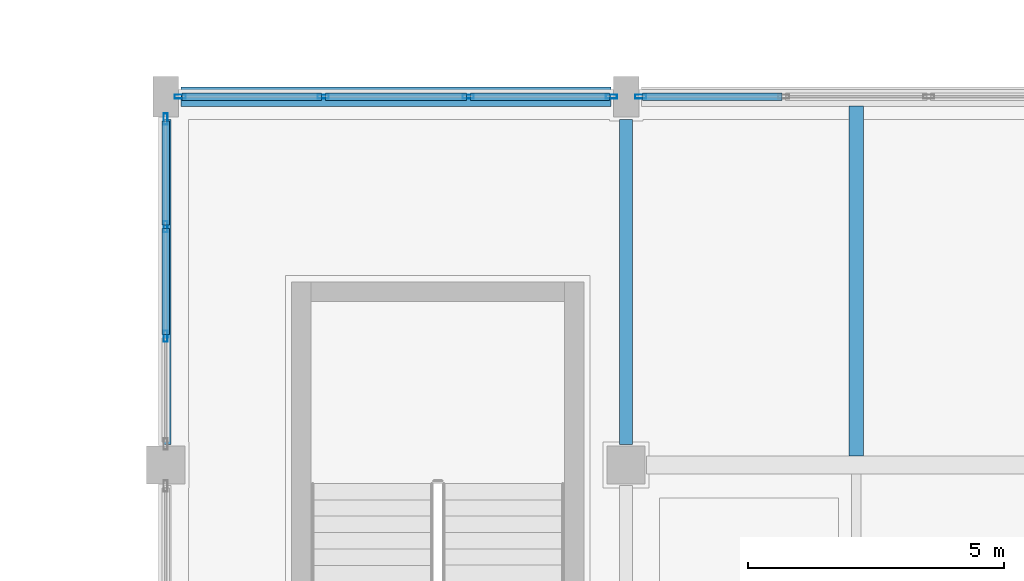
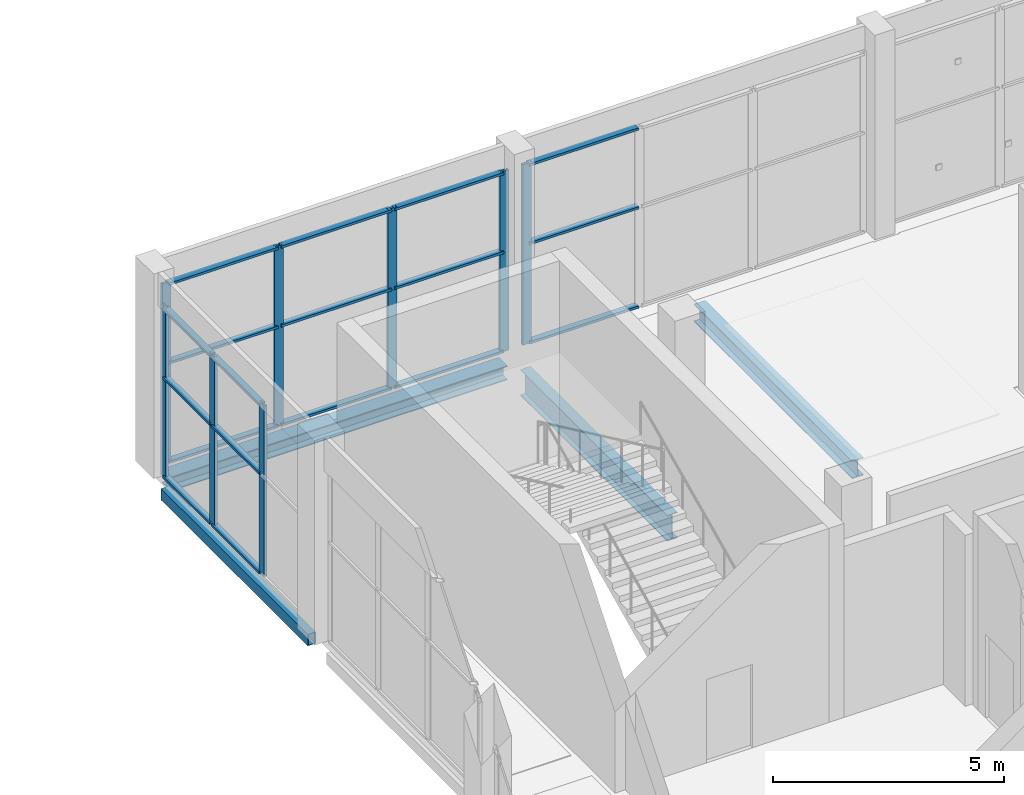
# One storey, part 94 of 189: 26 members, 4 beams, 3 elements without a shape of their own.
"""IFC4 building model written with IfcOpenShell, lengths in metres."""

from ifc_helpers import new_model, si_unit, direction, frame, origin, origin_2d, place, context, subcontext, project, spatial, hollow_rectangle, i_section, extrude, material, layer, layer_set, material_profile, profile_set, type_object, element, aggregate, save


model = new_model("IFC4")

# Units and contexts
model_context = context("Model", 3, precision=1e-05, world=origin(), true_north=direction((0.0, 1.0)))
body_context = subcontext(model_context, "Body", "Model", "MODEL_VIEW")
ifc_project = project(units=[si_unit("LENGTHUNIT", "METRE"), si_unit("AREAUNIT", "SQUARE_METRE"), si_unit("VOLUMEUNIT", "CUBIC_METRE"), si_unit("PLANEANGLEUNIT", "RADIAN"), si_unit("MASSUNIT", "GRAM", prefix="KILO")], contexts=[model_context])

# Site, building, storey
site_placement = place(None, origin())
site = spatial("IfcSite", under=ifc_project, at=site_placement, CompositionType="ELEMENT")
building_placement = place(site_placement, origin())
building = spatial("IfcBuilding", under=site, at=building_placement, Name="Celestram Park Convention Centre", CompositionType="ELEMENT")
storey_placement = place(building_placement, frame((0.0, 0.0, 5.39990234375)))
storey = spatial("IfcBuildingStorey", under=building, at=storey_placement, Name="L01", CompositionType="ELEMENT", Elevation=5.39990234375)

# Curtain wall, members
ifc_material_1 = material(Name="Anodised Aluminium Alloy 6063-T6", Category="aluminium")
ifc_layer_1 = layer(ifc_material_1, 0.179931640625)
ifc_layer_set_1 = layer_set([ifc_layer_1], Name="Anodised Aluminium Alloy 6063-T6")
curtain_wall_type_1 = type_object("IfcCurtainWallType", Name="ARC-CW-643X451", PredefinedType="NOTDEFINED", material=ifc_layer_set_1)
curtain_wall_1_placement = place(storey_placement, origin())
curtain_wall_1 = element("IfcCurtainWall", 1, at=curtain_wall_1_placement, inside=storey, type_object=curtain_wall_type_1, Name="Unitised curtain wall CU-L01-054", PredefinedType="NOTDEFINED")
ifc_material_profile_1 = material_profile(ifc_material_1, hollow_rectangle(XDim=0.074951171875, YDim=0.219970703125, WallThickness=0.00390625, at=origin_2d()), Name="ALU75X220X4")
ifc_profile_set_1 = profile_set([ifc_material_profile_1], Name="Anodised Aluminium Alloy 6063-T6")
member_type_1 = type_object("IfcMemberType", Name="ARC-CWM-180", PredefinedType="MULLION", material=ifc_profile_set_1)
member_1_placement = place(storey_placement, frame((36.0, 160.916015625, 0.0), z_axis=(0.0, 0.0, 1.0), x_axis=(-1.0, 0.0, 0.0)))
member_1 = element("IfcMember", 2, at=member_1_placement, type_object=member_type_1, Name="CW-64X45 mullion 2", PredefinedType="MULLION", context=body_context, shape_type="SweptSolid", body=[
    extrude(hollow_rectangle(XDim=0.074951171875, YDim=0.219970703125, WallThickness=0.00390625, at=origin_2d()), origin(), (0.0, 0.0, 1.0), 4.508056640625),
])
member_2_placement = place(storey_placement, frame((36.0, 163.05908203125, 0.0), z_axis=(0.0, 0.0, 1.0), x_axis=(-1.0, 0.0, 0.0)))
member_2 = element("IfcMember", 3, at=member_2_placement, type_object=member_type_1, Name="CW-64X45 mullion 3", PredefinedType="MULLION", context=body_context, shape_type="SweptSolid", body=[
    extrude(hollow_rectangle(XDim=0.074951171875, YDim=0.219970703125, WallThickness=0.00390625, at=origin_2d()), origin(), (0.0, 0.0, 1.0), 4.508056640625),
])
member_3_placement = place(storey_placement, frame((36.0, 165.16455078125, 0.0), z_axis=(0.0, 0.0, 1.0), x_axis=(-1.0, 0.0, 0.0)))
member_3 = element("IfcMember", 4, at=member_3_placement, type_object=member_type_1, Name="CW-64X45 mullion 4", PredefinedType="MULLION", context=body_context, shape_type="SweptSolid", body=[
    extrude(hollow_rectangle(XDim=0.074951171875, YDim=0.219970703125, WallThickness=0.00390625, at=origin_2d()), origin(), (0.0, 0.0, 1.0), 4.508056640625),
])

ifc_layer_2 = layer(ifc_material_1, 0.179931640625)
ifc_layer_set_2 = layer_set([ifc_layer_2], Name="Anodised Aluminium Alloy 6063-T6")
curtain_wall_type_2 = type_object("IfcCurtainWallType", Name="ARC-CW-850X476", PredefinedType="NOTDEFINED", material=ifc_layer_set_2)
curtain_wall_2_placement = place(storey_placement, origin())
curtain_wall_2 = element("IfcCurtainWall", 5, at=curtain_wall_2_placement, inside=storey, type_object=curtain_wall_type_2, Name="Unitised curtain wall CU-L01-055", PredefinedType="NOTDEFINED")
member_4_placement = place(storey_placement, frame((36.285400390625, 165.60009765625, 0.0), z_axis=(0.0, 0.0, 1.0), x_axis=(0.0, 1.0, 0.0)))
member_4 = element("IfcMember", 6, at=member_4_placement, type_object=member_type_1, Name="CW-85X47 mullion 1", PredefinedType="MULLION", context=body_context, shape_type="SweptSolid", body=[
    extrude(hollow_rectangle(XDim=0.074951171875, YDim=0.219970703125, WallThickness=0.00390625, at=origin_2d()), origin(), (0.0, 0.0, 1.0), 4.76416015625),
])
member_5_placement = place(storey_placement, frame((39.082763671875, 165.60009765625, 0.0), z_axis=(0.0, 0.0, 1.0), x_axis=(0.0, 1.0, 0.0)))
member_5 = element("IfcMember", 7, at=member_5_placement, type_object=member_type_1, Name="CW-85X47 mullion 2", PredefinedType="MULLION", context=body_context, shape_type="SweptSolid", body=[
    extrude(hollow_rectangle(XDim=0.074951171875, YDim=0.219970703125, WallThickness=0.00390625, at=origin_2d()), origin(), (0.0, 0.0, 1.0), 4.76416015625),
])
member_6_placement = place(storey_placement, frame((41.917236328125, 165.60009765625, 0.0), z_axis=(0.0, 0.0, 1.0), x_axis=(0.0, 1.0, 0.0)))
member_6 = element("IfcMember", 8, at=member_6_placement, type_object=member_type_1, Name="CW-85X47 mullion 3", PredefinedType="MULLION", context=body_context, shape_type="SweptSolid", body=[
    extrude(hollow_rectangle(XDim=0.074951171875, YDim=0.219970703125, WallThickness=0.00390625, at=origin_2d()), origin(), (0.0, 0.0, 1.0), 4.76416015625),
])
member_7_placement = place(storey_placement, frame((44.714599609375, 165.60009765625, 0.0), z_axis=(0.0, 0.0, 1.0), x_axis=(0.0, 1.0, 0.0)))
member_7 = element("IfcMember", 9, at=member_7_placement, type_object=member_type_1, Name="CW-85X47 mullion 4", PredefinedType="MULLION", context=body_context, shape_type="SweptSolid", body=[
    extrude(hollow_rectangle(XDim=0.074951171875, YDim=0.219970703125, WallThickness=0.00390625, at=origin_2d()), origin(), (0.0, 0.0, 1.0), 4.76416015625),
])

# Curtain wall, member
curtain_wall_3_placement = place(storey_placement, origin())
curtain_wall_3 = element("IfcCurtainWall", 10, at=curtain_wall_3_placement, inside=storey, type_object=curtain_wall_type_2, Name="Unitised curtain wall CU-L01-056", PredefinedType="NOTDEFINED")
member_8_placement = place(storey_placement, frame((45.285400390625, 165.60009765625, 0.0), z_axis=(0.0, 0.0, 1.0), x_axis=(0.0, 1.0, 0.0)))
member_8 = element("IfcMember", 11, at=member_8_placement, type_object=member_type_1, Name="CW-85X47 mullion 1", PredefinedType="MULLION", context=body_context, shape_type="SweptSolid", body=[
    extrude(hollow_rectangle(XDim=0.074951171875, YDim=0.219970703125, WallThickness=0.00390625, at=origin_2d()), origin(), (0.0, 0.0, 1.0), 4.76416015625),
])

# Member
ifc_material_profile_2 = material_profile(ifc_material_1, hollow_rectangle(XDim=0.14990234375, YDim=0.06494140625, WallThickness=0.0029296875, at=origin_2d()), Name="ALU150X65X3")
ifc_profile_set_2 = profile_set([ifc_material_profile_2], Name="Anodised Aluminium Alloy 6063-T6")
member_type_2 = type_object("IfcMemberType", Name="ARC-CWT-150", PredefinedType="USERDEFINED", material=ifc_profile_set_2)
member_9_placement = place(storey_placement, frame((36.0, 160.95361328125, 0.03271484375), z_axis=(0.0, 1.0, 0.0), x_axis=(-1.0, 0.0, 0.0)))
member_9 = element("IfcMember", 12, at=member_9_placement, type_object=member_type_2, Name="CW-64X45 transom 2.1", ObjectType="TRANSOM", PredefinedType="USERDEFINED", context=body_context, shape_type="SweptSolid", body=[
    extrude(hollow_rectangle(XDim=0.14990234375, YDim=0.06494140625, WallThickness=0.0029296875, at=origin_2d()), origin(), (0.0, 0.0, 1.0), 2.06787109375),
])

member_10_placement = place(storey_placement, frame((36.0, 160.95361328125, 2.650146484375), z_axis=(0.0, 1.0, 0.0), x_axis=(-1.0, 0.0, 0.0)))
member_10 = element("IfcMember", 13, at=member_10_placement, type_object=member_type_2, Name="CW-64X45 transom 2.2", ObjectType="TRANSOM", PredefinedType="USERDEFINED", context=body_context, shape_type="SweptSolid", body=[
    extrude(hollow_rectangle(XDim=0.14990234375, YDim=0.06494140625, WallThickness=0.0029296875, at=origin_2d()), origin(), (0.0, 0.0, 1.0), 2.06787109375),
])

member_11_placement = place(storey_placement, frame((36.0, 160.95361328125, 4.4755859375), z_axis=(0.0, 1.0, 0.0), x_axis=(-1.0, 0.0, 0.0)))
member_11 = element("IfcMember", 14, at=member_11_placement, type_object=member_type_2, Name="CW-64X45 transom 2.3", ObjectType="TRANSOM", PredefinedType="USERDEFINED", context=body_context, shape_type="SweptSolid", body=[
    extrude(hollow_rectangle(XDim=0.14990234375, YDim=0.06494140625, WallThickness=0.0029296875, at=origin_2d()), origin(), (0.0, 0.0, 1.0), 2.06787109375),
])

member_12_placement = place(storey_placement, frame((36.0, 163.096435546875, 0.03271484375), z_axis=(0.0, 1.0, 0.0), x_axis=(-1.0, 0.0, 0.0)))
member_12 = element("IfcMember", 15, at=member_12_placement, type_object=member_type_2, Name="CW-64X45 transom 3.1", ObjectType="TRANSOM", PredefinedType="USERDEFINED", context=body_context, shape_type="SweptSolid", body=[
    extrude(hollow_rectangle(XDim=0.14990234375, YDim=0.06494140625, WallThickness=0.0029296875, at=origin_2d()), origin(), (0.0, 0.0, 1.0), 2.030517578125),
])

member_13_placement = place(storey_placement, frame((36.0, 163.096435546875, 2.650146484375), z_axis=(0.0, 1.0, 0.0), x_axis=(-1.0, 0.0, 0.0)))
member_13 = element("IfcMember", 16, at=member_13_placement, type_object=member_type_2, Name="CW-64X45 transom 3.2", ObjectType="TRANSOM", PredefinedType="USERDEFINED", context=body_context, shape_type="SweptSolid", body=[
    extrude(hollow_rectangle(XDim=0.14990234375, YDim=0.06494140625, WallThickness=0.0029296875, at=origin_2d()), origin(), (0.0, 0.0, 1.0), 2.030517578125),
])

member_14_placement = place(storey_placement, frame((36.0, 163.096435546875, 4.4755859375), z_axis=(0.0, 1.0, 0.0), x_axis=(-1.0, 0.0, 0.0)))
member_14 = element("IfcMember", 17, at=member_14_placement, type_object=member_type_2, Name="CW-64X45 transom 3.3", ObjectType="TRANSOM", PredefinedType="USERDEFINED", context=body_context, shape_type="SweptSolid", body=[
    extrude(hollow_rectangle(XDim=0.14990234375, YDim=0.06494140625, WallThickness=0.0029296875, at=origin_2d()), origin(), (0.0, 0.0, 1.0), 2.030517578125),
])

aggregate(curtain_wall_1, [member_1, member_2, member_3, member_9, member_10, member_11, member_12, member_13, member_14])

member_15_placement = place(storey_placement, frame((36.322998046875, 165.60009765625, 0.03271484375), z_axis=(1.0, 0.0, 0.0), x_axis=(0.0, 1.0, 0.0)))
member_15 = element("IfcMember", 18, at=member_15_placement, type_object=member_type_2, Name="CW-85X47 transom 1.1", ObjectType="TRANSOM", PredefinedType="USERDEFINED", context=body_context, shape_type="SweptSolid", body=[
    extrude(hollow_rectangle(XDim=0.14990234375, YDim=0.06494140625, WallThickness=0.0029296875, at=origin_2d()), origin(), (0.0, 0.0, 1.0), 2.72216796875),
])

member_16_placement = place(storey_placement, frame((36.322998046875, 165.60009765625, 2.650146484375), z_axis=(1.0, 0.0, 0.0), x_axis=(0.0, 1.0, 0.0)))
member_16 = element("IfcMember", 19, at=member_16_placement, type_object=member_type_2, Name="CW-85X47 transom 1.2", ObjectType="TRANSOM", PredefinedType="USERDEFINED", context=body_context, shape_type="SweptSolid", body=[
    extrude(hollow_rectangle(XDim=0.14990234375, YDim=0.06494140625, WallThickness=0.0029296875, at=origin_2d()), origin(), (0.0, 0.0, 1.0), 2.72216796875),
])

member_17_placement = place(storey_placement, frame((36.322998046875, 165.60009765625, 4.731689453125), z_axis=(1.0, 0.0, 0.0), x_axis=(0.0, 1.0, 0.0)))
member_17 = element("IfcMember", 20, at=member_17_placement, type_object=member_type_2, Name="CW-85X47 transom 1.3", ObjectType="TRANSOM", PredefinedType="USERDEFINED", context=body_context, shape_type="SweptSolid", body=[
    extrude(hollow_rectangle(XDim=0.14990234375, YDim=0.06494140625, WallThickness=0.0029296875, at=origin_2d()), origin(), (0.0, 0.0, 1.0), 2.72216796875),
])

member_18_placement = place(storey_placement, frame((39.1201171875, 165.60009765625, 0.03271484375), z_axis=(1.0, 0.0, 0.0), x_axis=(0.0, 1.0, 0.0)))
member_18 = element("IfcMember", 21, at=member_18_placement, type_object=member_type_2, Name="CW-85X47 transom 2.1", ObjectType="TRANSOM", PredefinedType="USERDEFINED", context=body_context, shape_type="SweptSolid", body=[
    extrude(hollow_rectangle(XDim=0.14990234375, YDim=0.06494140625, WallThickness=0.0029296875, at=origin_2d()), origin(), (0.0, 0.0, 1.0), 2.759765625),
])

member_19_placement = place(storey_placement, frame((39.1201171875, 165.60009765625, 2.650146484375), z_axis=(1.0, 0.0, 0.0), x_axis=(0.0, 1.0, 0.0)))
member_19 = element("IfcMember", 22, at=member_19_placement, type_object=member_type_2, Name="CW-85X47 transom 2.2", ObjectType="TRANSOM", PredefinedType="USERDEFINED", context=body_context, shape_type="SweptSolid", body=[
    extrude(hollow_rectangle(XDim=0.14990234375, YDim=0.06494140625, WallThickness=0.0029296875, at=origin_2d()), origin(), (0.0, 0.0, 1.0), 2.759765625),
])

member_20_placement = place(storey_placement, frame((39.1201171875, 165.60009765625, 4.731689453125), z_axis=(1.0, 0.0, 0.0), x_axis=(0.0, 1.0, 0.0)))
member_20 = element("IfcMember", 23, at=member_20_placement, type_object=member_type_2, Name="CW-85X47 transom 2.3", ObjectType="TRANSOM", PredefinedType="USERDEFINED", context=body_context, shape_type="SweptSolid", body=[
    extrude(hollow_rectangle(XDim=0.14990234375, YDim=0.06494140625, WallThickness=0.0029296875, at=origin_2d()), origin(), (0.0, 0.0, 1.0), 2.759765625),
])

member_21_placement = place(storey_placement, frame((41.954833984375, 165.60009765625, 0.03271484375), z_axis=(1.0, 0.0, 0.0), x_axis=(0.0, 1.0, 0.0)))
member_21 = element("IfcMember", 24, at=member_21_placement, type_object=member_type_2, Name="CW-85X47 transom 3.1", ObjectType="TRANSOM", PredefinedType="USERDEFINED", context=body_context, shape_type="SweptSolid", body=[
    extrude(hollow_rectangle(XDim=0.14990234375, YDim=0.06494140625, WallThickness=0.0029296875, at=origin_2d()), origin(), (0.0, 0.0, 1.0), 2.72216796875),
])

member_22_placement = place(storey_placement, frame((41.954833984375, 165.60009765625, 2.650146484375), z_axis=(1.0, 0.0, 0.0), x_axis=(0.0, 1.0, 0.0)))
member_22 = element("IfcMember", 25, at=member_22_placement, type_object=member_type_2, Name="CW-85X47 transom 3.2", ObjectType="TRANSOM", PredefinedType="USERDEFINED", context=body_context, shape_type="SweptSolid", body=[
    extrude(hollow_rectangle(XDim=0.14990234375, YDim=0.06494140625, WallThickness=0.0029296875, at=origin_2d()), origin(), (0.0, 0.0, 1.0), 2.72216796875),
])

member_23_placement = place(storey_placement, frame((41.954833984375, 165.60009765625, 4.731689453125), z_axis=(1.0, 0.0, 0.0), x_axis=(0.0, 1.0, 0.0)))
member_23 = element("IfcMember", 26, at=member_23_placement, type_object=member_type_2, Name="CW-85X47 transom 3.3", ObjectType="TRANSOM", PredefinedType="USERDEFINED", context=body_context, shape_type="SweptSolid", body=[
    extrude(hollow_rectangle(XDim=0.14990234375, YDim=0.06494140625, WallThickness=0.0029296875, at=origin_2d()), origin(), (0.0, 0.0, 1.0), 2.72216796875),
])

aggregate(curtain_wall_2, [member_4, member_5, member_6, member_7, member_15, member_16, member_17, member_18, member_19, member_20, member_21, member_22, member_23])

member_24_placement = place(storey_placement, frame((45.322998046875, 165.60009765625, 0.03271484375), z_axis=(1.0, 0.0, 0.0), x_axis=(0.0, 1.0, 0.0)))
member_24 = element("IfcMember", 27, at=member_24_placement, type_object=member_type_2, Name="CW-85X47 transom 1.1", ObjectType="TRANSOM", PredefinedType="USERDEFINED", context=body_context, shape_type="SweptSolid", body=[
    extrude(hollow_rectangle(XDim=0.14990234375, YDim=0.06494140625, WallThickness=0.0029296875, at=origin_2d()), origin(), (0.0, 0.0, 1.0), 2.72216796875),
])

member_25_placement = place(storey_placement, frame((45.322998046875, 165.60009765625, 2.650146484375), z_axis=(1.0, 0.0, 0.0), x_axis=(0.0, 1.0, 0.0)))
member_25 = element("IfcMember", 28, at=member_25_placement, type_object=member_type_2, Name="CW-85X47 transom 1.2", ObjectType="TRANSOM", PredefinedType="USERDEFINED", context=body_context, shape_type="SweptSolid", body=[
    extrude(hollow_rectangle(XDim=0.14990234375, YDim=0.06494140625, WallThickness=0.0029296875, at=origin_2d()), origin(), (0.0, 0.0, 1.0), 2.72216796875),
])

member_26_placement = place(storey_placement, frame((45.322998046875, 165.60009765625, 4.731689453125), z_axis=(1.0, 0.0, 0.0), x_axis=(0.0, 1.0, 0.0)))
member_26 = element("IfcMember", 29, at=member_26_placement, type_object=member_type_2, Name="CW-85X47 transom 1.3", ObjectType="TRANSOM", PredefinedType="USERDEFINED", context=body_context, shape_type="SweptSolid", body=[
    extrude(hollow_rectangle(XDim=0.14990234375, YDim=0.06494140625, WallThickness=0.0029296875, at=origin_2d()), origin(), (0.0, 0.0, 1.0), 2.72216796875),
])

aggregate(curtain_wall_3, [member_8, member_24, member_25, member_26])

# Beams
ifc_material_2 = material(Name="Steel ASTM A992 Grade 50", Category="steel")
ifc_material_profile_3 = material_profile(ifc_material_2, i_section(OverallWidth=0.25390625, OverallDepth=0.68310546875, WebThickness=0.012451171875, FlangeThickness=0.01904296875, at=origin_2d()), Name="W27X94")
ifc_profile_set_3 = profile_set([ifc_material_profile_3], Name="Steel ASTM A992 Grade 50")
beam_type_1 = type_object("IfcBeamType", Name="STR-BM-W27X94", PredefinedType="BEAM", material=ifc_profile_set_3)
beam_1_placement = place(storey_placement, frame((45.0, 158.798095703125, -0.621337890625), z_axis=(0.0, 1.0, 0.0), x_axis=(-1.0, 0.0, 0.0)))
element("IfcBeam", 30, at=beam_1_placement, inside=storey, type_object=beam_type_1, Name="Primary Y-girder BG-L01-0078", PredefinedType="BEAM", context=body_context, shape_type="SweptSolid", body=[
    extrude(i_section(OverallWidth=0.25390625, OverallDepth=0.68310546875, WebThickness=0.012451171875, FlangeThickness=0.01904296875, at=origin_2d()), origin(), (0.0, 0.0, 1.0), 6.35400390625),
])
ifc_material_profile_4 = material_profile(ifc_material_2, i_section(OverallWidth=0.281982421875, OverallDepth=0.467041015625, WebThickness=0.01220703125, FlangeThickness=0.01953125, at=origin_2d()), Name="W18X86")
ifc_profile_set_4 = profile_set([ifc_material_profile_4], Name="Steel ASTM A992 Grade 50")
beam_type_2 = type_object("IfcBeamType", Name="STR-JST-W18X86", PredefinedType="JOIST", material=ifc_profile_set_4)
beam_2_placement = place(storey_placement, frame((49.5, 158.573974609375, -0.513427734375), z_axis=(0.0, 1.0, 0.0), x_axis=(-1.0, 0.0, 0.0)))
element("IfcBeam", 31, at=beam_2_placement, inside=storey, type_object=beam_type_2, Name="Secondary composite joist BG-L01-0572", PredefinedType="JOIST", context=body_context, shape_type="SweptSolid", body=[
    extrude(i_section(OverallWidth=0.281982421875, OverallDepth=0.467041015625, WebThickness=0.01220703125, FlangeThickness=0.01953125, at=origin_2d()), origin(), (0.0, 0.0, 1.0), 6.843994140625),
])
ifc_material_3 = material(Name="Steel ASTM A500 Grade C", Category="steel")
ifc_material_profile_5 = material_profile(ifc_material_3, hollow_rectangle(XDim=0.199951171875, YDim=0.300048828125, WallThickness=0.011962890625, at=origin_2d()), Name="HSS300X200X12")
ifc_profile_set_5 = profile_set([ifc_material_profile_5], Name="Steel ASTM A500 Grade C")
beam_type_3 = type_object("IfcBeamType", Name="STR-SPN-HSS300X200", PredefinedType="SPANDREL", material=ifc_profile_set_5)
beam_3_placement = place(storey_placement, frame((36.0, 158.798095703125, -0.429931640625), z_axis=(0.0, 1.0, 0.0), x_axis=(-1.0, 0.0, 0.0)))
element("IfcBeam", 32, at=beam_3_placement, inside=storey, type_object=beam_type_3, Name="Primary Y-girder BG-L01-0055", PredefinedType="SPANDREL", context=body_context, shape_type="SweptSolid", body=[
    extrude(hollow_rectangle(XDim=0.199951171875, YDim=0.300048828125, WallThickness=0.011962890625, at=origin_2d()), origin(), (0.0, 0.0, 1.0), 6.35400390625),
])
ifc_material_profile_6 = material_profile(ifc_material_2, i_section(OverallWidth=0.373046875, OverallDepth=0.373046875, WebThickness=0.016357421875, FlangeThickness=0.026123046875, at=origin_2d()), Name="W14X132")
ifc_profile_set_6 = profile_set([ifc_material_profile_6], Name="Steel ASTM A992 Grade 50")
beam_type_4 = type_object("IfcBeamType", Name="STR-SPN-W14X132", PredefinedType="SPANDREL", material=ifc_profile_set_6)
beam_4_placement = place(storey_placement, frame((36.298095703125, 165.60009765625, -0.46630859375), z_axis=(1.0, 0.0, 0.0), x_axis=(0.0, 1.0, 0.0)))
element("IfcBeam", 33, at=beam_4_placement, inside=storey, type_object=beam_type_4, Name="Primary X-girder BG-L01-0056", PredefinedType="SPANDREL", context=body_context, shape_type="SweptSolid", body=[
    extrude(i_section(OverallWidth=0.373046875, OverallDepth=0.373046875, WebThickness=0.016357421875, FlangeThickness=0.026123046875, at=origin_2d()), origin(), (0.0, 0.0, 1.0), 8.40380859375),
])

save(model, "model.ifc")
